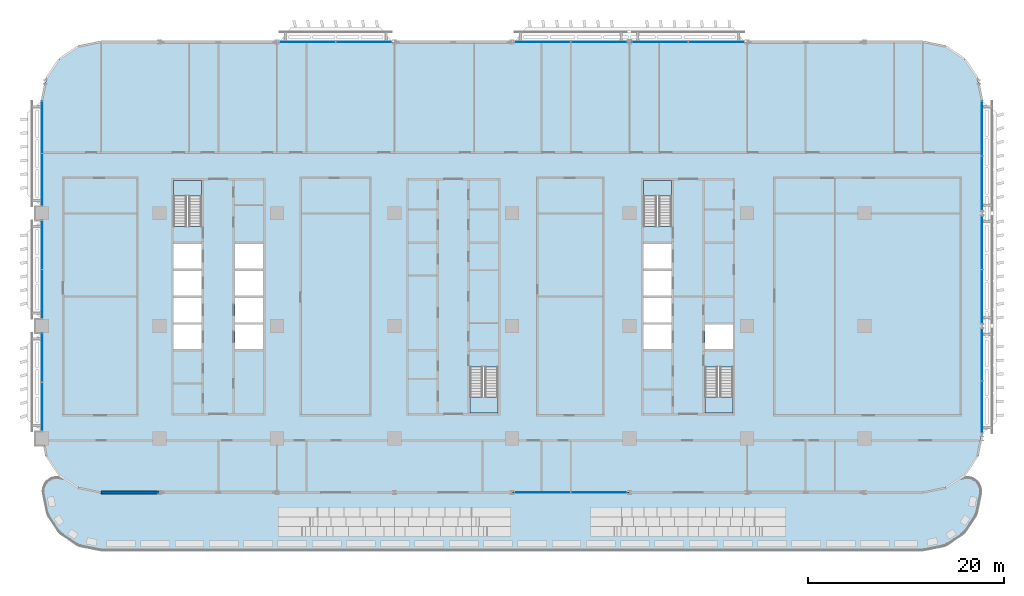
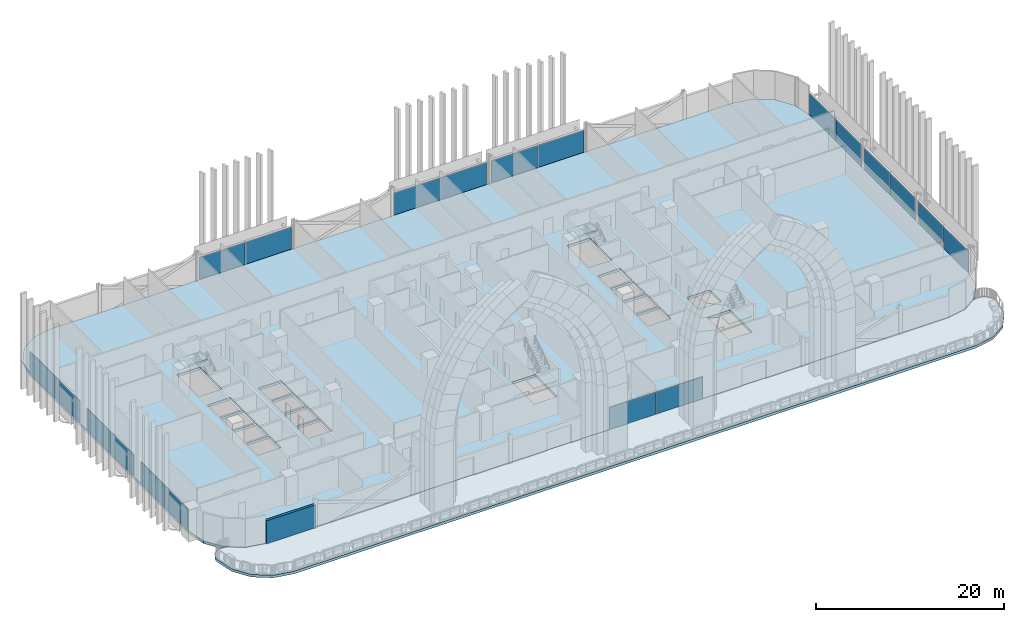
# One storey, part 9 of 31: 20 plates, 6 slabs, 1 wall, 14 elements without a shape of their own.
"""IFC4 building model written with IfcOpenShell, lengths in metres."""

from ifc_helpers import new_model, si_unit, direction, frame, frame_2d, origin, origin_2d, place, context, subcontext, project, spatial, polyline, rectangle, outline, extrude, material, layer, layer_set, type_object, element, aggregate, save


model = new_model("IFC4")

# Units and contexts
model_context = context("Model", 3, precision=1e-05, world=origin(), true_north=direction((0.0, 1.0)))
body_context = subcontext(model_context, "Body", "Model", "MODEL_VIEW")
ifc_project = project(units=[si_unit("LENGTHUNIT", "METRE"), si_unit("AREAUNIT", "SQUARE_METRE"), si_unit("VOLUMEUNIT", "CUBIC_METRE"), si_unit("PLANEANGLEUNIT", "RADIAN"), si_unit("MASSUNIT", "GRAM", prefix="KILO")], contexts=[model_context])

# Site, building, storey
site_placement = place(None, origin())
site = spatial("IfcSite", under=ifc_project, at=site_placement, CompositionType="ELEMENT")
building_placement = place(site_placement, origin())
building = spatial("IfcBuilding", under=site, at=building_placement, Name="Mahtab Terrace Research Tower", CompositionType="ELEMENT")
storey_placement = place(building_placement, frame((0.0, 0.0, 84.800048828125)))
storey = spatial("IfcBuildingStorey", under=building, at=storey_placement, Name="L19", CompositionType="ELEMENT", Elevation=84.800048828125)

# Stair, slab
ifc_material_1 = material(Name="Exit stair half-turn")
stair_type = type_object("IfcStairType", Name="Exit stair half-turn", PredefinedType="HALF_TURN_STAIR", material=ifc_material_1)
stair_1_placement = place(storey_placement, origin())
stair_1 = element("IfcStair", 1, at=stair_1_placement, inside=storey, type_object=stair_type, Name="L19 Protected exit stair ST1", PredefinedType="HALF_TURN_STAIR")
ifc_material_2 = material(Name="Concrete C40/50", Category="concrete")
ifc_layer_1 = layer(ifc_material_2, 0.199951171875)
ifc_layer_set_1 = layer_set([ifc_layer_1], Name="Exit stair landing 200")
slab_type_1 = type_object("IfcSlabType", Name="Exit stair landing 200", PredefinedType="LANDING", material=ifc_layer_set_1)
slab_1_placement = place(storey_placement, frame((0.0, 0.0, 1.849853515625)))
slab_1 = element("IfcSlab", 2, at=slab_1_placement, type_object=slab_type_1, Name="ST1 landing 1", PredefinedType="LANDING", context=body_context, shape_type="SweptSolid", body=[
    extrude(outline(polyline([(-25.699951171875, 13.2548828125), (-25.699951171875, 14.875), (-28.550048828125, 14.875), (-28.550048828125, 13.2548828125), (-25.699951171875, 13.2548828125)])), origin(), (0.0, 0.0, 1.0), 0.2001953125),
])
aggregate(stair_1, [slab_1])

stair_2_placement = place(storey_placement, origin())
stair_2 = element("IfcStair", 3, at=stair_2_placement, inside=storey, type_object=stair_type, Name="L19 Protected exit stair ST2", PredefinedType="HALF_TURN_STAIR")
slab_2_placement = place(storey_placement, frame((0.0, 0.0, 1.849853515625)))
slab_2 = element("IfcSlab", 4, at=slab_2_placement, type_object=slab_type_1, Name="ST2 landing 1", PredefinedType="LANDING", context=body_context, shape_type="SweptSolid", body=[
    extrude(outline(polyline([(1.699951171875, -7.2548828125), (1.699951171875, -8.875), (4.550048828125, -8.875), (4.550048828125, -7.2548828125), (1.699951171875, -7.2548828125)])), origin(), (0.0, 0.0, 1.0), 0.2001953125),
])
aggregate(stair_2, [slab_2])

stair_3_placement = place(storey_placement, origin())
stair_3 = element("IfcStair", 5, at=stair_3_placement, inside=storey, type_object=stair_type, Name="L19 Protected exit stair ST3", PredefinedType="HALF_TURN_STAIR")
slab_3_placement = place(storey_placement, frame((0.0, 0.0, 1.849853515625)))
slab_3 = element("IfcSlab", 6, at=slab_3_placement, type_object=slab_type_1, Name="ST3 landing 1", PredefinedType="LANDING", context=body_context, shape_type="SweptSolid", body=[
    extrude(outline(polyline([(22.300048828125, 13.2548828125), (22.300048828125, 14.875), (19.449951171875, 14.875), (19.449951171875, 13.2548828125), (22.300048828125, 13.2548828125)])), origin(), (0.0, 0.0, 1.0), 0.2001953125),
])
aggregate(stair_3, [slab_3])

stair_4_placement = place(storey_placement, origin())
stair_4 = element("IfcStair", 7, at=stair_4_placement, inside=storey, type_object=stair_type, Name="L19 Protected exit stair ST4", PredefinedType="HALF_TURN_STAIR")
slab_4_placement = place(storey_placement, frame((0.0, 0.0, 1.849853515625)))
slab_4 = element("IfcSlab", 8, at=slab_4_placement, type_object=slab_type_1, Name="ST4 landing 1", PredefinedType="LANDING", context=body_context, shape_type="SweptSolid", body=[
    extrude(outline(polyline([(25.699951171875, -7.2548828125), (25.699951171875, -8.875), (28.550048828125, -8.875), (28.550048828125, -7.2548828125), (25.699951171875, -7.2548828125)])), origin(), (0.0, 0.0, 1.0), 0.2001953125),
])
aggregate(stair_4, [slab_4])

# Slabs
ifc_layer_2 = layer(ifc_material_2, 0.340087890625)
ifc_layer_set_2 = layer_set([ifc_layer_2], Name="PT flat slab 340")
slab_type_2 = type_object("IfcSlabType", Name="PT flat slab 340", PredefinedType="FLOOR", material=ifc_layer_set_2)
slab_5_placement = place(storey_placement, frame((0.0, 0.0, -0.340087890625)))
element("IfcSlab", 9, at=slab_5_placement, inside=storey, type_object=slab_type_2, Name="Floor slab L19", PredefinedType="FLOOR", context=body_context, shape_type="SweptSolid", body=[
    extrude(outline(polyline([(53.54296875, 25.2958984375), (52.242919921875, 27.242919921875), (50.2958984375, 28.54296875), (48.0, 29.0), (-36.0, 29.0), (-38.2958984375, 28.54296875), (-40.242919921875, 27.242919921875), (-41.54296875, 25.2958984375), (-42.0, 23.0), (-42.0, -11.0), (-41.54296875, -13.2958984375), (-40.242919921875, -15.242919921875), (-38.2958984375, -16.54296875), (-36.0, -17.0), (48.0, -17.0), (50.2958984375, -16.54296875), (52.242919921875, -15.242919921875), (53.54296875, -13.2958984375), (54.0, -11.0), (54.0, 23.0), (53.54296875, 25.2958984375)]), holes=[polyline([(-28.550048828125, -2.375), (-28.550048828125, 0.125), (-25.699951171875, 0.125), (-25.699951171875, -2.375), (-28.550048828125, -2.375)]), polyline([(-22.300048828125, -2.375), (-22.300048828125, 0.125), (-19.449951171875, 0.125), (-19.449951171875, -2.375), (-22.300048828125, -2.375)]), polyline([(-28.550048828125, 0.375), (-28.550048828125, 2.875), (-25.699951171875, 2.875), (-25.699951171875, 0.375), (-28.550048828125, 0.375)]), polyline([(-22.300048828125, 0.375), (-22.300048828125, 2.875), (-19.449951171875, 2.875), (-19.449951171875, 0.375), (-22.300048828125, 0.375)]), polyline([(-28.550048828125, 3.125), (-28.550048828125, 5.625), (-25.699951171875, 5.625), (-25.699951171875, 3.125), (-28.550048828125, 3.125)]), polyline([(-22.300048828125, 3.125), (-22.300048828125, 5.625), (-19.449951171875, 5.625), (-19.449951171875, 3.125), (-22.300048828125, 3.125)]), polyline([(-28.550048828125, 5.875), (-28.550048828125, 8.375), (-25.699951171875, 8.375), (-25.699951171875, 5.875), (-28.550048828125, 5.875)]), polyline([(-22.300048828125, 5.875), (-22.300048828125, 8.375), (-19.449951171875, 8.375), (-19.449951171875, 5.875), (-22.300048828125, 5.875)]), polyline([(-28.550048828125, 10.177001953125), (-28.550048828125, 14.875), (-25.699951171875, 14.875), (-25.699951171875, 10.177001953125), (-28.550048828125, 10.177001953125)]), polyline([(1.699951171875, -8.875), (1.699951171875, -4.177001953125), (4.550048828125, -4.177001953125), (4.550048828125, -8.875), (1.699951171875, -8.875)]), polyline([(25.699951171875, -8.875), (25.699951171875, -4.177001953125), (28.550048828125, -4.177001953125), (28.550048828125, -8.875), (25.699951171875, -8.875)]), polyline([(19.449951171875, -2.375), (19.449951171875, 0.125), (22.300048828125, 0.125), (22.300048828125, -2.375), (19.449951171875, -2.375)]), polyline([(25.699951171875, -2.375), (25.699951171875, 0.125), (28.550048828125, 0.125), (28.550048828125, -2.375), (25.699951171875, -2.375)]), polyline([(19.449951171875, 0.375), (19.449951171875, 2.875), (22.300048828125, 2.875), (22.300048828125, 0.375), (19.449951171875, 0.375)]), polyline([(19.449951171875, 3.125), (19.449951171875, 5.625), (22.300048828125, 5.625), (22.300048828125, 3.125), (19.449951171875, 3.125)]), polyline([(19.449951171875, 8.375), (22.300048828125, 8.375), (22.300048828125, 5.875), (19.449951171875, 5.875), (19.449951171875, 8.375)]), polyline([(19.449951171875, 14.875), (22.300048828125, 14.875), (22.300048828125, 10.177001953125), (19.449951171875, 10.177001953125), (19.449951171875, 14.875)])]), origin(), (0.0, 0.0, 1.0), 0.340087890625),
])
ifc_layer_3 = layer(ifc_material_2, 0.340087890625)
ifc_layer_set_3 = layer_set([ifc_layer_3], Name="PT terrace slab 340")
slab_type_3 = type_object("IfcSlabType", Name="PT terrace slab 340", PredefinedType="FLOOR", material=ifc_layer_set_3)
slab_6_placement = place(storey_placement, frame((0.0, 0.0, -0.340087890625)))
element("IfcSlab", 10, at=slab_6_placement, inside=storey, type_object=slab_type_3, Name="Terrace slab L19", PredefinedType="FLOOR", context=body_context, shape_type="SweptSolid", body=[
    extrude(outline(polyline([(-41.60107421875, -19.0029296875), (-41.56591796875, -19.14599609375), (-41.51611328125, -19.284912109375), (-41.452880859375, -19.41796875), (-41.3779296875, -19.5439453125), (-40.407958984375, -20.9951171875), (-40.321044921875, -21.113037109375), (-40.221923828125, -21.221923828125), (-40.113037109375, -21.321044921875), (-39.9951171875, -21.407958984375), (-38.5439453125, -22.3779296875), (-38.41796875, -22.452880859375), (-38.284912109375, -22.51611328125), (-38.14599609375, -22.56591796875), (-38.0029296875, -22.60107421875), (-36.14501953125, -22.970947265625), (-35.9990234375, -22.992919921875), (-35.85205078125, -23.0), (47.85205078125, -23.0), (47.9990234375, -22.992919921875), (48.14501953125, -22.970947265625), (50.0029296875, -22.60107421875), (50.14599609375, -22.56591796875), (50.284912109375, -22.51611328125), (50.41796875, -22.452880859375), (50.5439453125, -22.3779296875), (51.9951171875, -21.407958984375), (52.113037109375, -21.321044921875), (52.221923828125, -21.221923828125), (52.321044921875, -21.113037109375), (52.407958984375, -20.9951171875), (53.3779296875, -19.5439453125), (53.452880859375, -19.41796875), (53.51611328125, -19.284912109375), (53.56591796875, -19.14599609375), (53.60107421875, -19.0029296875), (53.966064453125, -17.1708984375), (53.988037109375, -17.02490234375), (53.9951171875, -16.8779296875), (53.988037109375, -16.73095703125), (53.966064453125, -16.5859375), (53.929931640625, -16.443115234375), (53.881103515625, -16.303955078125), (53.818115234375, -16.1708984375), (53.741943359375, -16.044921875), (53.654052734375, -15.927001953125), (53.555908203125, -15.81689453125), (53.446044921875, -15.718994140625), (53.327880859375, -15.631103515625), (53.201904296875, -15.554931640625), (53.069091796875, -15.491943359375), (52.929931640625, -15.443115234375), (52.787109375, -15.406982421875), (52.64208984375, -15.385009765625), (52.4951171875, -15.3779296875), (52.347900390625, -15.385009765625), (52.201904296875, -15.406982421875), (52.05908203125, -15.443115234375), (51.9208984375, -15.491943359375), (51.7880859375, -15.554931640625), (51.660888671875, -15.631103515625), (50.326904296875, -16.52294921875), (50.294921875, -16.5419921875), (50.260009765625, -16.550048828125), (48.035888671875, -16.992919921875), (48.0, -16.998046875), (47.962890625, -17.0), (-35.962890625, -17.0), (-36.0, -16.998046875), (-36.035888671875, -16.992919921875), (-38.260009765625, -16.550048828125), (-38.294921875, -16.5419921875), (-38.326904296875, -16.52294921875), (-39.660888671875, -15.631103515625), (-39.7880859375, -15.554931640625), (-39.9208984375, -15.491943359375), (-40.05908203125, -15.443115234375), (-40.201904296875, -15.406982421875), (-40.347900390625, -15.385009765625), (-40.4951171875, -15.3779296875), (-40.64208984375, -15.385009765625), (-40.787109375, -15.406982421875), (-40.929931640625, -15.443115234375), (-41.069091796875, -15.491943359375), (-41.201904296875, -15.554931640625), (-41.327880859375, -15.631103515625), (-41.446044921875, -15.718994140625), (-41.555908203125, -15.81689453125), (-41.654052734375, -15.927001953125), (-41.741943359375, -16.044921875), (-41.818115234375, -16.1708984375), (-41.881103515625, -16.303955078125), (-41.929931640625, -16.443115234375), (-41.966064453125, -16.5859375), (-41.988037109375, -16.73095703125), (-41.9951171875, -16.8779296875), (-41.988037109375, -17.02490234375), (-41.966064453125, -17.1708984375), (-41.60107421875, -19.0029296875)])), origin(), (0.0, 0.0, 1.0), 0.340087890625),
])

# Curtain wall, plates
ifc_material_3 = material(Name="Sky lounge full-height curtain wall")
curtain_wall_type = type_object("IfcCurtainWallType", Name="Sky lounge full-height curtain wall", PredefinedType="NOTDEFINED", material=ifc_material_3)
curtain_wall_1_placement = place(storey_placement, origin())
curtain_wall_1 = element("IfcCurtainWall", 11, at=curtain_wall_1_placement, inside=storey, type_object=curtain_wall_type, Name="EN.L19.3.5", PredefinedType="NOTDEFINED")
ifc_material_4 = material(Name="Dark glazing", Category="glass")
ifc_layer_4 = layer(ifc_material_4, 0.0400390625)
ifc_layer_set_4 = layer_set([ifc_layer_4], Name="Sky lounge full-height curtain wall glazing panel")
plate_type = type_object("IfcPlateType", Name="Sky lounge full-height curtain wall glazing panel", PredefinedType="CURTAIN_PANEL", material=ifc_layer_set_4)
plate_1_placement = place(storey_placement, frame((26.868408203125, 29.0, 0.0), z_axis=(0.0, 0.0, 1.0), x_axis=(-1.0, 0.0, 0.0)))
plate_1 = element("IfcPlate", 12, at=plate_1_placement, type_object=plate_type, Name="CWS-3 panel 1", PredefinedType="CURTAIN_PANEL", context=body_context, shape_type="SweptSolid", body=[
    extrude(rectangle(XDim=5.6669921875, YDim=0.0400390625, at=origin_2d()), origin(), (0.0, 0.0, 1.0), 2.883056640625),
])
plate_2_placement = place(storey_placement, frame((21.131591796875, 29.0, 0.0), z_axis=(0.0, 0.0, 1.0), x_axis=(-1.0, 0.0, 0.0)))
plate_2 = element("IfcPlate", 13, at=plate_2_placement, type_object=plate_type, Name="CWS-3 panel 2", PredefinedType="CURTAIN_PANEL", context=body_context, shape_type="SweptSolid", body=[
    extrude(rectangle(XDim=5.6669921875, YDim=0.0400390625, at=origin_2d()), origin(), (0.0, 0.0, 1.0), 2.883056640625),
])
aggregate(curtain_wall_1, [plate_1, plate_2])

curtain_wall_2_placement = place(storey_placement, origin())
curtain_wall_2 = element("IfcCurtainWall", 14, at=curtain_wall_2_placement, inside=storey, type_object=curtain_wall_type, Name="EN.L19.3.6", PredefinedType="NOTDEFINED")
plate_3_placement = place(storey_placement, frame((14.868408203125, 29.0, 0.0), z_axis=(0.0, 0.0, 1.0), x_axis=(-1.0, 0.0, 0.0)))
plate_3 = element("IfcPlate", 15, at=plate_3_placement, type_object=plate_type, Name="CWS-3 panel 1", PredefinedType="CURTAIN_PANEL", context=body_context, shape_type="SweptSolid", body=[
    extrude(rectangle(XDim=5.6669921875, YDim=0.0400390625, at=origin_2d()), origin(), (0.0, 0.0, 1.0), 2.883056640625),
])
plate_4_placement = place(storey_placement, frame((9.131591796875, 29.0, 0.0), z_axis=(0.0, 0.0, 1.0), x_axis=(-1.0, 0.0, 0.0)))
plate_4 = element("IfcPlate", 16, at=plate_4_placement, type_object=plate_type, Name="CWS-3 panel 2", PredefinedType="CURTAIN_PANEL", context=body_context, shape_type="SweptSolid", body=[
    extrude(rectangle(XDim=5.6669921875, YDim=0.0400390625, at=origin_2d()), origin(), (0.0, 0.0, 1.0), 2.883056640625),
])
aggregate(curtain_wall_2, [plate_3, plate_4])

curtain_wall_3_placement = place(storey_placement, origin())
curtain_wall_3 = element("IfcCurtainWall", 17, at=curtain_wall_3_placement, inside=storey, type_object=curtain_wall_type, Name="EN.L19.3.8", PredefinedType="NOTDEFINED")
plate_5_placement = place(storey_placement, frame((-9.131591796875, 29.0, 0.0), z_axis=(0.0, 0.0, 1.0), x_axis=(-1.0, 0.0, 0.0)))
plate_5 = element("IfcPlate", 18, at=plate_5_placement, type_object=plate_type, Name="CWS-3 panel 1", PredefinedType="CURTAIN_PANEL", context=body_context, shape_type="SweptSolid", body=[
    extrude(rectangle(XDim=5.6669921875, YDim=0.0400390625, at=origin_2d()), origin(), (0.0, 0.0, 1.0), 2.883056640625),
])
plate_6_placement = place(storey_placement, frame((-14.868408203125, 29.0, 0.0), z_axis=(0.0, 0.0, 1.0), x_axis=(-1.0, 0.0, 0.0)))
plate_6 = element("IfcPlate", 19, at=plate_6_placement, type_object=plate_type, Name="CWS-3 panel 2", PredefinedType="CURTAIN_PANEL", context=body_context, shape_type="SweptSolid", body=[
    extrude(rectangle(XDim=5.6669921875, YDim=0.0400390625, at=origin_2d()), origin(), (0.0, 0.0, 1.0), 2.883056640625),
])
aggregate(curtain_wall_3, [plate_5, plate_6])

curtain_wall_4_placement = place(storey_placement, origin())
curtain_wall_4 = element("IfcCurtainWall", 20, at=curtain_wall_4_placement, inside=storey, type_object=curtain_wall_type, Name="EN.L19.8.16", PredefinedType="NOTDEFINED")
plate_7_placement = place(storey_placement, frame((-42.0, 20.282470703125, 0.0), z_axis=(0.0, 0.0, 1.0), x_axis=(0.0, -1.0, 0.0)))
plate_7 = element("IfcPlate", 21, at=plate_7_placement, type_object=plate_type, Name="CWS-3 panel 1", PredefinedType="CURTAIN_PANEL", context=body_context, shape_type="SweptSolid", body=[
    extrude(rectangle(XDim=5.294921875, YDim=0.0400390625, at=origin_2d()), origin(), (0.0, 0.0, 1.0), 2.883056640625),
])
plate_8_placement = place(storey_placement, frame((-42.0, 14.91748046875, 0.0), z_axis=(0.0, 0.0, 1.0), x_axis=(0.0, -1.0, 0.0)))
plate_8 = element("IfcPlate", 22, at=plate_8_placement, type_object=plate_type, Name="CWS-3 panel 2", PredefinedType="CURTAIN_PANEL", context=body_context, shape_type="SweptSolid", body=[
    extrude(rectangle(XDim=5.294921875, YDim=0.0400390625, at=origin_2d()), origin(), (0.0, 0.0, 1.0), 2.883056640625),
])
aggregate(curtain_wall_4, [plate_7, plate_8])

curtain_wall_5_placement = place(storey_placement, origin())
curtain_wall_5 = element("IfcCurtainWall", 23, at=curtain_wall_5_placement, inside=storey, type_object=curtain_wall_type, Name="EN.L19.8.17", PredefinedType="NOTDEFINED")
plate_9_placement = place(storey_placement, frame((-42.0, 8.257568359375, 0.0), z_axis=(0.0, 0.0, 1.0), x_axis=(0.0, -1.0, 0.0)))
plate_9 = element("IfcPlate", 24, at=plate_9_placement, type_object=plate_type, Name="CWS-3 panel 1", PredefinedType="CURTAIN_PANEL", context=body_context, shape_type="SweptSolid", body=[
    extrude(rectangle(XDim=4.945068359375, YDim=0.0400390625, at=origin_2d()), origin(), (0.0, 0.0, 1.0), 2.883056640625),
])
plate_10_placement = place(storey_placement, frame((-42.0, 3.242431640625, 0.0), z_axis=(0.0, 0.0, 1.0), x_axis=(0.0, -1.0, 0.0)))
plate_10 = element("IfcPlate", 25, at=plate_10_placement, type_object=plate_type, Name="CWS-3 panel 2", PredefinedType="CURTAIN_PANEL", context=body_context, shape_type="SweptSolid", body=[
    extrude(rectangle(XDim=4.945068359375, YDim=0.0400390625, at=origin_2d()), origin(), (0.0, 0.0, 1.0), 2.883056640625),
])
aggregate(curtain_wall_5, [plate_9, plate_10])

curtain_wall_6_placement = place(storey_placement, origin())
curtain_wall_6 = element("IfcCurtainWall", 26, at=curtain_wall_6_placement, inside=storey, type_object=curtain_wall_type, Name="EN.L19.8.18", PredefinedType="NOTDEFINED")
plate_11_placement = place(storey_placement, frame((-42.0, -3.242431640625, 0.0), z_axis=(0.0, 0.0, 1.0), x_axis=(0.0, -1.0, 0.0)))
plate_11 = element("IfcPlate", 27, at=plate_11_placement, type_object=plate_type, Name="CWS-3 panel 1", PredefinedType="CURTAIN_PANEL", context=body_context, shape_type="SweptSolid", body=[
    extrude(rectangle(XDim=4.945068359375, YDim=0.0400390625, at=origin_2d()), origin(), (0.0, 0.0, 1.0), 2.883056640625),
])
plate_12_placement = place(storey_placement, frame((-42.0, -8.257568359375, 0.0), z_axis=(0.0, 0.0, 1.0), x_axis=(0.0, -1.0, 0.0)))
plate_12 = element("IfcPlate", 28, at=plate_12_placement, type_object=plate_type, Name="CWS-3 panel 2", PredefinedType="CURTAIN_PANEL", context=body_context, shape_type="SweptSolid", body=[
    extrude(rectangle(XDim=4.945068359375, YDim=0.0400390625, at=origin_2d()), origin(), (0.0, 0.0, 1.0), 2.883056640625),
])
aggregate(curtain_wall_6, [plate_11, plate_12])

curtain_wall_7_placement = place(storey_placement, origin())
curtain_wall_7 = element("IfcCurtainWall", 29, at=curtain_wall_7_placement, inside=storey, type_object=curtain_wall_type, Name="EN.L19.13.27", PredefinedType="NOTDEFINED")
plate_13_placement = place(storey_placement, frame((9.131591796875, -17.0, 0.0), z_axis=(0.0, 0.0, 1.0), x_axis=(1.0, 0.0, 0.0)))
plate_13 = element("IfcPlate", 30, at=plate_13_placement, type_object=plate_type, Name="CWS-3 panel 1", PredefinedType="CURTAIN_PANEL", context=body_context, shape_type="SweptSolid", body=[
    extrude(rectangle(XDim=5.6669921875, YDim=0.0400390625, at=origin_2d()), origin(), (0.0, 0.0, 1.0), 2.883056640625),
])
plate_14_placement = place(storey_placement, frame((14.868408203125, -17.0, 0.0), z_axis=(0.0, 0.0, 1.0), x_axis=(1.0, 0.0, 0.0)))
plate_14 = element("IfcPlate", 31, at=plate_14_placement, type_object=plate_type, Name="CWS-3 panel 2", PredefinedType="CURTAIN_PANEL", context=body_context, shape_type="SweptSolid", body=[
    extrude(rectangle(XDim=5.6669921875, YDim=0.0400390625, at=origin_2d()), origin(), (0.0, 0.0, 1.0), 2.883056640625),
])
aggregate(curtain_wall_7, [plate_13, plate_14])

curtain_wall_8_placement = place(storey_placement, origin())
curtain_wall_8 = element("IfcCurtainWall", 32, at=curtain_wall_8_placement, inside=storey, type_object=curtain_wall_type, Name="EN.L19.18.36", PredefinedType="NOTDEFINED")
plate_15_placement = place(storey_placement, frame((54.0, -8.28955078125, 0.0), z_axis=(0.0, 0.0, 1.0), x_axis=(0.0, 1.0, 0.0)))
plate_15 = element("IfcPlate", 33, at=plate_15_placement, type_object=plate_type, Name="CWS-3 panel 1", PredefinedType="CURTAIN_PANEL", context=body_context, shape_type="SweptSolid", body=[
    extrude(rectangle(XDim=5.281005859375, YDim=0.0400390625, at=origin_2d()), origin(), (0.0, 0.0, 1.0), 2.883056640625),
])
plate_16_placement = place(storey_placement, frame((54.0, -2.9384765625, 0.0), z_axis=(0.0, 0.0, 1.0), x_axis=(0.0, 1.0, 0.0)))
plate_16 = element("IfcPlate", 34, at=plate_16_placement, type_object=plate_type, Name="CWS-3 panel 2", PredefinedType="CURTAIN_PANEL", context=body_context, shape_type="SweptSolid", body=[
    extrude(rectangle(XDim=5.281005859375, YDim=0.0400390625, at=origin_2d()), origin(), (0.0, 0.0, 1.0), 2.883056640625),
])
aggregate(curtain_wall_8, [plate_15, plate_16])

curtain_wall_9_placement = place(storey_placement, origin())
curtain_wall_9 = element("IfcCurtainWall", 35, at=curtain_wall_9_placement, inside=storey, type_object=curtain_wall_type, Name="EN.L19.18.37", PredefinedType="NOTDEFINED")
plate_17_placement = place(storey_placement, frame((54.0, 3.006591796875, 0.0), z_axis=(0.0, 0.0, 1.0), x_axis=(0.0, 1.0, 0.0)))
plate_17 = element("IfcPlate", 36, at=plate_17_placement, type_object=plate_type, Name="CWS-3 panel 1", PredefinedType="CURTAIN_PANEL", context=body_context, shape_type="SweptSolid", body=[
    extrude(rectangle(XDim=5.4169921875, YDim=0.0400390625, at=origin_2d()), origin(), (0.0, 0.0, 1.0), 2.883056640625),
])
plate_18_placement = place(storey_placement, frame((54.0, 8.493408203125, 0.0), z_axis=(0.0, 0.0, 1.0), x_axis=(0.0, 1.0, 0.0)))
plate_18 = element("IfcPlate", 37, at=plate_18_placement, type_object=plate_type, Name="CWS-3 panel 2", PredefinedType="CURTAIN_PANEL", context=body_context, shape_type="SweptSolid", body=[
    extrude(rectangle(XDim=5.4169921875, YDim=0.0400390625, at=origin_2d()), origin(), (0.0, 0.0, 1.0), 2.883056640625),
])
aggregate(curtain_wall_9, [plate_17, plate_18])

curtain_wall_10_placement = place(storey_placement, origin())
curtain_wall_10 = element("IfcCurtainWall", 38, at=curtain_wall_10_placement, inside=storey, type_object=curtain_wall_type, Name="EN.L19.18.38", PredefinedType="NOTDEFINED")
plate_19_placement = place(storey_placement, frame((54.0, 14.5634765625, 0.0), z_axis=(0.0, 0.0, 1.0), x_axis=(0.0, 1.0, 0.0)))
plate_19 = element("IfcPlate", 39, at=plate_19_placement, type_object=plate_type, Name="CWS-3 panel 1", PredefinedType="CURTAIN_PANEL", context=body_context, shape_type="SweptSolid", body=[
    extrude(rectangle(XDim=5.531005859375, YDim=0.0400390625, at=origin_2d()), origin(), (0.0, 0.0, 1.0), 2.883056640625),
])
plate_20_placement = place(storey_placement, frame((54.0, 20.16455078125, 0.0), z_axis=(0.0, 0.0, 1.0), x_axis=(0.0, 1.0, 0.0)))
plate_20 = element("IfcPlate", 40, at=plate_20_placement, type_object=plate_type, Name="CWS-3 panel 2", PredefinedType="CURTAIN_PANEL", context=body_context, shape_type="SweptSolid", body=[
    extrude(rectangle(XDim=5.531005859375, YDim=0.0400390625, at=origin_2d()), origin(), (0.0, 0.0, 1.0), 2.883056640625),
])
aggregate(curtain_wall_10, [plate_19, plate_20])

# Wall
ifc_material_5 = material(Name="Black aluminium cladding panel", Category="aluminium")
ifc_layer_5 = layer(ifc_material_5, 0.300048828125)
ifc_layer_set_5 = layer_set([ifc_layer_5], Name="Opaque facade wall 300")
wall_type = type_object("IfcWallType", Name="Opaque facade wall 300", PredefinedType="NOTDEFINED", material=ifc_layer_set_5)
wall_placement = place(storey_placement, frame((-36.0, -17.0, 0.0), z_axis=(0.0, 0.0, 1.0), x_axis=(1.0, 0.0, 0.0)))
element("IfcWall", 41, at=wall_placement, inside=storey, type_object=wall_type, Name="Opaque facade wall L19 S23", PredefinedType="NOTDEFINED", context=body_context, shape_type="SweptSolid", body=[
    extrude(rectangle(XDim=5.97900390625, YDim=0.300048828125, at=frame_2d((2.989501953125, 0.0))), origin(), (0.0, 0.0, 1.0), 3.0029296875),
])

save(model, "model.ifc")
